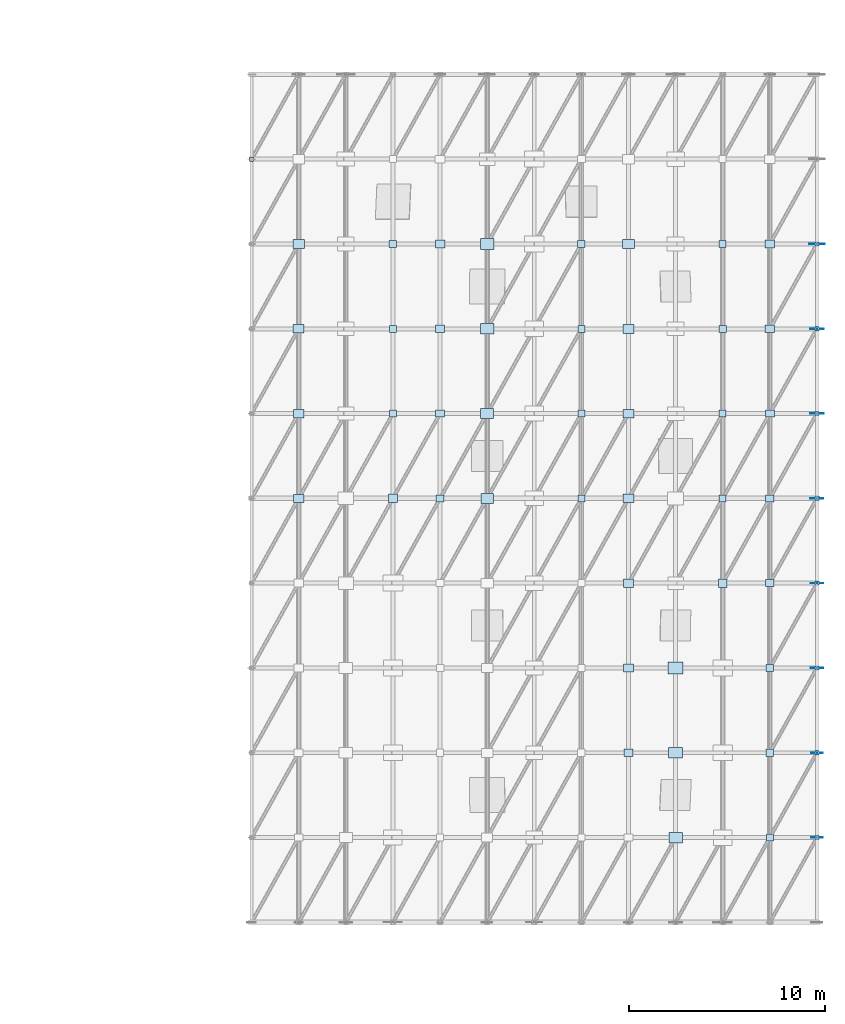
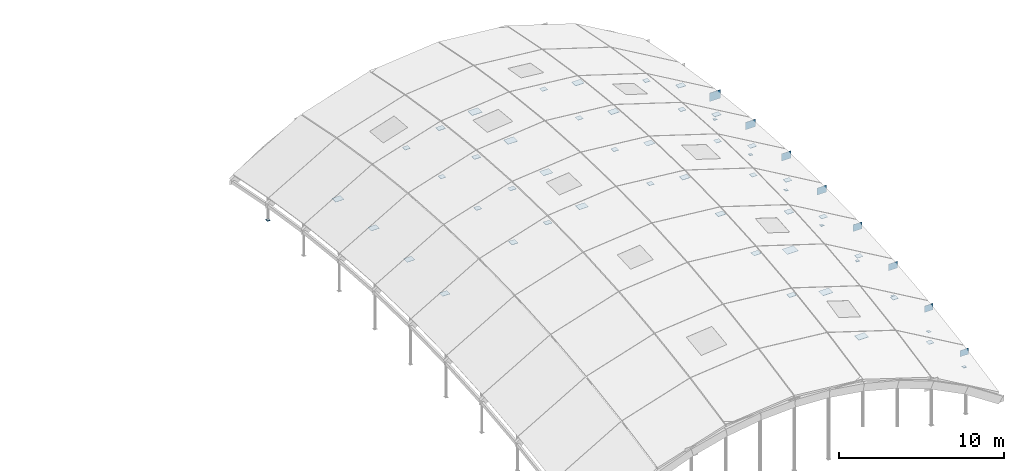
# One storey, part 30 of 35: 60 plates.
"""IFC4 building model written with IfcOpenShell, lengths in metres."""

from ifc_helpers import new_model, si_unit, direction, frame, origin, origin_2d, place, context, subcontext, project, spatial, rectangle, extrude, material, layer, layer_set, type_object, element, save


model = new_model("IFC4")

# Units and contexts
model_context = context("Model", 3, precision=1e-05, world=origin(), true_north=direction((0.0, 1.0)))
body_context = subcontext(model_context, "Body", "Model", "MODEL_VIEW")
ifc_project = project(units=[si_unit("LENGTHUNIT", "METRE"), si_unit("AREAUNIT", "SQUARE_METRE"), si_unit("VOLUMEUNIT", "CUBIC_METRE"), si_unit("PLANEANGLEUNIT", "RADIAN"), si_unit("MASSUNIT", "GRAM", prefix="KILO")], contexts=[model_context])

# Site, building, storey
site_placement = place(None, origin())
site = spatial("IfcSite", under=ifc_project, at=site_placement, CompositionType="ELEMENT")
building_placement = place(site_placement, origin())
building = spatial("IfcBuilding", under=site, at=building_placement, Name="Zarrinpeak Specialist Clinic", CompositionType="ELEMENT")
storey_placement = place(building_placement, frame((0.0, 0.0, 31.60009765625)))
storey = spatial("IfcBuildingStorey", under=building, at=storey_placement, Name="RF", CompositionType="ELEMENT", Elevation=31.60009765625)

# Plates
ifc_material = material(Name="Steel S355", Category="steel")
ifc_layer_1 = layer(ifc_material, 0.013916015625)
ifc_layer_set_1 = layer_set([ifc_layer_1], Name="Steel S355")
plate_type_1 = type_object("IfcPlateType", Name="PL-CAP168", PredefinedType="SHEET", material=ifc_layer_set_1)
for number, where, z_axis, x_axis, name in (
    (1, (122.39990234375, 33.1201171875, -17.81201171875), (0.0, 0.0, 1.0), (1.0, 0.0, 0.0), "V3 Gridshell Edge Post Cap Plate PCAP-024"),
    (2, (122.39990234375, 37.43994140625, -17.81201171875), (0.0, 0.0, 1.0), (1.0, 0.0, 0.0), "V3 Gridshell Edge Post Cap Plate PCAP-026"),
    (3, (122.39990234375, 41.760009765625, -17.81201171875), (0.0, 0.0, 1.0), (1.0, 0.0, 0.0), "V3 Gridshell Edge Post Cap Plate PCAP-028"),
    (4, (122.39990234375, 46.080078125, -17.81201171875), (0.0, 0.0, 1.0), (1.0, 0.0, 0.0), "V3 Gridshell Edge Post Cap Plate PCAP-030"),
    (5, (122.39990234375, 50.39990234375, -17.81201171875), (0.0, 0.0, 1.0), (1.0, 0.0, 0.0), "V3 Gridshell Edge Post Cap Plate PCAP-032"),
    (6, (122.39990234375, 54.719970703125, -17.81201171875), (0.0, 0.0, 1.0), (1.0, 0.0, 0.0), "V3 Gridshell Edge Post Cap Plate PCAP-034"),
    (7, (122.39990234375, 59.0400390625, -17.81201171875), (0.0, 0.0, 1.0), (1.0, 0.0, 0.0), "V3 Gridshell Edge Post Cap Plate PCAP-036"),
    (8, (122.39990234375, 63.360107421875, -17.81201171875), (0.0, 0.0, 1.0), (1.0, 0.0, 0.0), "V3 Gridshell Edge Post Cap Plate PCAP-038"),
    (9, (93.60009765625, 67.679931640625, -17.81201171875), (0.0, 0.0, 1.0), (1.0, 0.0, 0.0), "V3 Gridshell Edge Post Cap Plate PCAP-039"),
):
    element("IfcPlate", number, at=place(storey_placement, frame(where, z_axis=z_axis, x_axis=x_axis)), inside=storey, type_object=plate_type_1, Name=name, PredefinedType="SHEET", context=body_context, shape_type="SweptSolid", body=[
        extrude(rectangle(XDim=0.2099609375, YDim=0.2099609375, at=origin_2d()), origin(), (0.0, 0.0, 1.0), 0.013916015625),
    ])
ifc_layer_2 = layer(ifc_material, 0.02392578125)
ifc_layer_set_2 = layer_set([ifc_layer_2], Name="Steel S355")
plate_type_2 = type_object("IfcPlateType", Name="PL-GSN01", PredefinedType="SHEET", material=ifc_layer_set_2)
for number, where, z_axis, x_axis, name in (
    (10, (100.800048828125, 50.39990234375, -11.517578125), (0.0, 0.0, 1.0), (1.0, 0.0, 0.0), "V3 Gridshell Hub Node Plate GSN-I03-J05"),
    (11, (117.60009765625, 46.080078125, -12.51171875), (0.0, 0.0, 1.0), (1.0, 0.0, 0.0), "V3 Gridshell Hub Node Plate GSN-I10-J04"),
):
    element("IfcPlate", number, at=place(storey_placement, frame(where, z_axis=z_axis, x_axis=x_axis)), inside=storey, type_object=plate_type_2, Name=name, PredefinedType="SHEET", context=body_context, shape_type="SweptSolid", body=[
        extrude(rectangle(XDim=0.43994140625, YDim=0.43994140625, at=origin_2d()), origin(), (0.0, 0.0, 1.0), 0.02392578125),
    ])
ifc_layer_3 = layer(ifc_material, 0.02001953125)
ifc_layer_set_3 = layer_set([ifc_layer_3], Name="Steel S355")
plate_type_3 = type_object("IfcPlateType", Name="PL-GSN02", PredefinedType="SHEET", material=ifc_layer_set_3)
for number, where, z_axis, x_axis, name in (
    (12, (100.800048828125, 54.719970703125, -11.611572265625), (0.0, 0.0, 1.0), (1.0, 0.0, 0.0), "V3 Gridshell Hub Node Plate GSN-I03-J06"),
    (13, (117.60009765625, 50.39990234375, -12.413818359375), (0.0, 0.0, 1.0), (1.0, 0.0, 0.0), "V3 Gridshell Hub Node Plate GSN-I10-J05"),
):
    element("IfcPlate", number, at=place(storey_placement, frame(where, z_axis=z_axis, x_axis=x_axis)), inside=storey, type_object=plate_type_3, Name=name, PredefinedType="SHEET", context=body_context, shape_type="SweptSolid", body=[
        extrude(rectangle(XDim=0.360107421875, YDim=0.360107421875, at=origin_2d()), origin(), (0.0, 0.0, 1.0), 0.02001953125),
    ])
ifc_layer_4 = layer(ifc_material, 0.01806640625)
ifc_layer_set_4 = layer_set([ifc_layer_4], Name="Steel S355")
plate_type_4 = type_object("IfcPlateType", Name="PL-GSN03", PredefinedType="SHEET", material=ifc_layer_set_4)
for number, where, z_axis, x_axis, name in (
    (14, (100.800048828125, 59.0400390625, -11.898681640625), (0.0, 0.0, 1.0), (1.0, 0.0, 0.0), "V3 Gridshell Hub Node Plate GSN-I03-J07"),
    (15, (117.60009765625, 54.719970703125, -12.5087890625), (0.0, 0.0, 1.0), (1.0, 0.0, 0.0), "V3 Gridshell Hub Node Plate GSN-I10-J06"),
):
    element("IfcPlate", number, at=place(storey_placement, frame(where, z_axis=z_axis, x_axis=x_axis)), inside=storey, type_object=plate_type_4, Name=name, PredefinedType="SHEET", context=body_context, shape_type="SweptSolid", body=[
        extrude(rectangle(XDim=0.360107421875, YDim=0.360107421875, at=origin_2d()), origin(), (0.0, 0.0, 1.0), 0.01806640625),
    ])
ifc_layer_5 = layer(ifc_material, 0.02197265625)
ifc_layer_set_5 = layer_set([ifc_layer_5], Name="Steel S355")
plate_type_5 = type_object("IfcPlateType", Name="PL-GSN04", PredefinedType="SHEET", material=ifc_layer_set_5)
for number, where, z_axis, x_axis, name in (
    (16, (100.800048828125, 63.360107421875, -12.380615234375), (0.0, 0.0, 1.0), (1.0, 0.0, 0.0), "V3 Gridshell Hub Node Plate GSN-I03-J08"),
    (17, (117.60009765625, 59.0400390625, -12.798583984375), (0.0, 0.0, 1.0), (1.0, 0.0, 0.0), "V3 Gridshell Hub Node Plate GSN-I10-J07"),
):
    element("IfcPlate", number, at=place(storey_placement, frame(where, z_axis=z_axis, x_axis=x_axis)), inside=storey, type_object=plate_type_5, Name=name, PredefinedType="SHEET", context=body_context, shape_type="SweptSolid", body=[
        extrude(rectangle(XDim=0.3798828125, YDim=0.360107421875, at=origin_2d()), origin(), (0.0, 0.0, 1.0), 0.02197265625),
    ])
ifc_layer_6 = layer(ifc_material, 0.01611328125)
ifc_layer_set_6 = layer_set([ifc_layer_6], Name="Steel S355")
plate_type_6 = type_object("IfcPlateType", Name="PL-ND01", PredefinedType="SHEET", material=ifc_layer_set_6)
plate_1_placement = place(storey_placement, frame((117.60009765625, 63.360107421875, -13.275634765625), z_axis=(0.0, 0.0, 1.0), x_axis=(1.0, 0.0, 0.0)))
element("IfcPlate", 18, at=plate_1_placement, inside=storey, type_object=plate_type_6, Name="V3 Gridshell Hub Node Plate GSN-I10-J08", PredefinedType="SHEET", context=body_context, shape_type="SweptSolid", body=[
    extrude(rectangle(XDim=0.360107421875, YDim=0.360107421875, at=origin_2d()), origin(), (0.0, 0.0, 1.0), 0.01611328125),
])
ifc_layer_7 = layer(ifc_material, 0.02001953125)
ifc_layer_set_7 = layer_set([ifc_layer_7], Name="Steel S355")
plate_type_7 = type_object("IfcPlateType", Name="PL-ND03", PredefinedType="SHEET", material=ifc_layer_set_7)
plate_2_placement = place(storey_placement, frame((110.39990234375, 50.39990234375, -10.530517578125), z_axis=(0.0, 0.0, 1.0), x_axis=(1.0, 0.0, 0.0)))
element("IfcPlate", 19, at=plate_2_placement, inside=storey, type_object=plate_type_7, Name="V3 Gridshell Hub Node Plate GSN-I07-J05", PredefinedType="SHEET", context=body_context, shape_type="SweptSolid", body=[
    extrude(rectangle(XDim=0.360107421875, YDim=0.360107421875, at=origin_2d()), origin(), (0.0, 0.0, 1.0), 0.02001953125),
])
ifc_layer_8 = layer(ifc_material, 0.02197265625)
ifc_layer_set_8 = layer_set([ifc_layer_8], Name="Steel S355")
plate_type_8 = type_object("IfcPlateType", Name="PL-ND04", PredefinedType="SHEET", material=ifc_layer_set_8)
plate_3_placement = place(storey_placement, frame((110.39990234375, 54.719970703125, -10.62744140625), z_axis=(0.0, 0.0, 1.0), x_axis=(1.0, 0.0, 0.0)))
element("IfcPlate", 20, at=plate_3_placement, inside=storey, type_object=plate_type_8, Name="V3 Gridshell Hub Node Plate GSN-I07-J06", PredefinedType="SHEET", context=body_context, shape_type="SweptSolid", body=[
    extrude(rectangle(XDim=0.360107421875, YDim=0.360107421875, at=origin_2d()), origin(), (0.0, 0.0, 1.0), 0.02197265625),
])
ifc_layer_9 = layer(ifc_material, 0.02392578125)
ifc_layer_set_9 = layer_set([ifc_layer_9], Name="Steel S355")
plate_type_9 = type_object("IfcPlateType", Name="PL-ND05", PredefinedType="SHEET", material=ifc_layer_set_9)
for number, where, z_axis, x_axis, name in (
    (21, (110.39990234375, 59.0400390625, -10.916259765625), (0.0, 0.0, 1.0), (1.0, 0.0, 0.0), "V3 Gridshell Hub Node Plate GSN-I07-J07"),
    (22, (120.0, 33.1201171875, -15.16357421875), (0.0, 0.0, 1.0), (1.0, 0.0, 0.0), "V3 Gridshell Hub Node Plate GSN-I11-J01"),
):
    element("IfcPlate", number, at=place(storey_placement, frame(where, z_axis=z_axis, x_axis=x_axis)), inside=storey, type_object=plate_type_9, Name=name, PredefinedType="SHEET", context=body_context, shape_type="SweptSolid", body=[
        extrude(rectangle(XDim=0.360107421875, YDim=0.360107421875, at=origin_2d()), origin(), (0.0, 0.0, 1.0), 0.02392578125),
    ])
ifc_layer_10 = layer(ifc_material, 0.013916015625)
ifc_layer_set_10 = layer_set([ifc_layer_10], Name="Steel S355")
plate_type_10 = type_object("IfcPlateType", Name="PL-ND06", PredefinedType="SHEET", material=ifc_layer_set_10)
for number, where, z_axis, x_axis, name in (
    (23, (110.39990234375, 63.360107421875, -11.39111328125), (0.0, 0.0, 1.0), (1.0, 0.0, 0.0), "V3 Gridshell Hub Node Plate GSN-I07-J08"),
    (24, (120.0, 37.43994140625, -14.486328125), (0.0, 0.0, 1.0), (1.0, 0.0, 0.0), "V3 Gridshell Hub Node Plate GSN-I11-J02"),
):
    element("IfcPlate", number, at=place(storey_placement, frame(where, z_axis=z_axis, x_axis=x_axis)), inside=storey, type_object=plate_type_10, Name=name, PredefinedType="SHEET", context=body_context, shape_type="SweptSolid", body=[
        extrude(rectangle(XDim=0.3798828125, YDim=0.360107421875, at=origin_2d()), origin(), (0.0, 0.0, 1.0), 0.013916015625),
    ])
ifc_layer_11 = layer(ifc_material, 0.01611328125)
ifc_layer_set_11 = layer_set([ifc_layer_11], Name="Steel S355")
plate_type_11 = type_object("IfcPlateType", Name="PL-ND07", PredefinedType="SHEET", material=ifc_layer_set_11)
plate_4_placement = place(storey_placement, frame((120.0, 41.760009765625, -14.007568359375), z_axis=(0.0, 0.0, 1.0), x_axis=(1.0, 0.0, 0.0)))
element("IfcPlate", 25, at=plate_4_placement, inside=storey, type_object=plate_type_11, Name="V3 Gridshell Hub Node Plate GSN-I11-J03", PredefinedType="SHEET", context=body_context, shape_type="SweptSolid", body=[
    extrude(rectangle(XDim=0.39990234375, YDim=0.360107421875, at=origin_2d()), origin(), (0.0, 0.0, 1.0), 0.01611328125),
])
ifc_layer_12 = layer(ifc_material, 0.01806640625)
ifc_layer_set_12 = layer_set([ifc_layer_12], Name="Steel S355")
plate_type_12 = type_object("IfcPlateType", Name="PL-ND08", PredefinedType="SHEET", material=ifc_layer_set_12)
for number, where, z_axis, x_axis, name in (
    (26, (103.199951171875, 50.39990234375, -10.89404296875), (0.0, 0.0, 1.0), (1.0, 0.0, 0.0), "V3 Gridshell Hub Node Plate GSN-I04-J05"),
    (27, (120.0, 46.080078125, -13.720458984375), (0.0, 0.0, 1.0), (1.0, 0.0, 0.0), "V3 Gridshell Hub Node Plate GSN-I11-J04"),
):
    element("IfcPlate", number, at=place(storey_placement, frame(where, z_axis=z_axis, x_axis=x_axis)), inside=storey, type_object=plate_type_12, Name=name, PredefinedType="SHEET", context=body_context, shape_type="SweptSolid", body=[
        extrude(rectangle(XDim=0.419921875, YDim=0.360107421875, at=origin_2d()), origin(), (0.0, 0.0, 1.0), 0.01806640625),
    ])
ifc_layer_13 = layer(ifc_material, 0.02001953125)
ifc_layer_set_13 = layer_set([ifc_layer_13], Name="Steel S355")
plate_type_13 = type_object("IfcPlateType", Name="PL-ND09", PredefinedType="SHEET", material=ifc_layer_set_13)
for number, where, z_axis, x_axis, name in (
    (28, (103.199951171875, 54.719970703125, -10.990966796875), (0.0, 0.0, 1.0), (1.0, 0.0, 0.0), "V3 Gridshell Hub Node Plate GSN-I04-J06"),
    (29, (120.0, 50.39990234375, -13.62548828125), (0.0, 0.0, 1.0), (1.0, 0.0, 0.0), "V3 Gridshell Hub Node Plate GSN-I11-J05"),
):
    element("IfcPlate", number, at=place(storey_placement, frame(where, z_axis=z_axis, x_axis=x_axis)), inside=storey, type_object=plate_type_13, Name=name, PredefinedType="SHEET", context=body_context, shape_type="SweptSolid", body=[
        extrude(rectangle(XDim=0.43994140625, YDim=0.360107421875, at=origin_2d()), origin(), (0.0, 0.0, 1.0), 0.02001953125),
    ])
ifc_layer_14 = layer(ifc_material, 0.02197265625)
ifc_layer_set_14 = layer_set([ifc_layer_14], Name="Steel S355")
plate_type_14 = type_object("IfcPlateType", Name="PL-ND10", PredefinedType="SHEET", material=ifc_layer_set_14)
for number, where, z_axis, x_axis, name in (
    (30, (103.199951171875, 59.0400390625, -11.280029296875), (0.0, 0.0, 1.0), (1.0, 0.0, 0.0), "V3 Gridshell Hub Node Plate GSN-I04-J07"),
    (31, (120.0, 54.719970703125, -13.722412109375), (0.0, 0.0, 1.0), (1.0, 0.0, 0.0), "V3 Gridshell Hub Node Plate GSN-I11-J06"),
):
    element("IfcPlate", number, at=place(storey_placement, frame(where, z_axis=z_axis, x_axis=x_axis)), inside=storey, type_object=plate_type_14, Name=name, PredefinedType="SHEET", context=body_context, shape_type="SweptSolid", body=[
        extrude(rectangle(XDim=0.4599609375, YDim=0.3701171875, at=origin_2d()), origin(), (0.0, 0.0, 1.0), 0.02197265625),
    ])
ifc_layer_15 = layer(ifc_material, 0.02392578125)
ifc_layer_set_15 = layer_set([ifc_layer_15], Name="Steel S355")
plate_type_15 = type_object("IfcPlateType", Name="PL-ND11", PredefinedType="SHEET", material=ifc_layer_set_15)
for number, where, z_axis, x_axis, name in (
    (32, (103.199951171875, 63.360107421875, -11.760986328125), (0.0, 0.0, 1.0), (1.0, 0.0, 0.0), "V3 Gridshell Hub Node Plate GSN-I04-J08"),
    (33, (112.800048828125, 37.43994140625, -11.760986328125), (0.0, 0.0, 1.0), (1.0, 0.0, 0.0), "V3 Gridshell Hub Node Plate GSN-I08-J02"),
    (34, (120.0, 59.0400390625, -14.011474609375), (0.0, 0.0, 1.0), (1.0, 0.0, 0.0), "V3 Gridshell Hub Node Plate GSN-I11-J07"),
):
    element("IfcPlate", number, at=place(storey_placement, frame(where, z_axis=z_axis, x_axis=x_axis)), inside=storey, type_object=plate_type_15, Name=name, PredefinedType="SHEET", context=body_context, shape_type="SweptSolid", body=[
        extrude(rectangle(XDim=0.47998046875, YDim=0.389892578125, at=origin_2d()), origin(), (0.0, 0.0, 1.0), 0.02392578125),
    ])
ifc_layer_16 = layer(ifc_material, 0.013916015625)
ifc_layer_set_16 = layer_set([ifc_layer_16], Name="Steel S355")
plate_type_16 = type_object("IfcPlateType", Name="PL-ND12", PredefinedType="SHEET", material=ifc_layer_set_16)
for number, where, z_axis, x_axis, name in (
    (35, (112.800048828125, 41.760009765625, -11.27587890625), (0.0, 0.0, 1.0), (1.0, 0.0, 0.0), "V3 Gridshell Hub Node Plate GSN-I08-J03"),
    (36, (120.0, 63.360107421875, -14.486328125), (0.0, 0.0, 1.0), (1.0, 0.0, 0.0), "V3 Gridshell Hub Node Plate GSN-I11-J08"),
):
    element("IfcPlate", number, at=place(storey_placement, frame(where, z_axis=z_axis, x_axis=x_axis)), inside=storey, type_object=plate_type_16, Name=name, PredefinedType="SHEET", context=body_context, shape_type="SweptSolid", body=[
        extrude(rectangle(XDim=0.5, YDim=0.39990234375, at=origin_2d()), origin(), (0.0, 0.0, 1.0), 0.013916015625),
    ])
ifc_layer_17 = layer(ifc_material, 0.01611328125)
ifc_layer_set_17 = layer_set([ifc_layer_17], Name="Steel S355")
plate_type_17 = type_object("IfcPlateType", Name="PL-ND13", PredefinedType="SHEET", material=ifc_layer_set_17)
for number, where, z_axis, x_axis, name in (
    (37, (96.0, 50.39990234375, -13.62353515625), (0.0, 0.0, 1.0), (1.0, 0.0, 0.0), "V3 Gridshell Hub Node Plate GSN-I01-J05"),
    (38, (112.800048828125, 46.080078125, -10.989013671875), (0.0, 0.0, 1.0), (1.0, 0.0, 0.0), "V3 Gridshell Hub Node Plate GSN-I08-J04"),
):
    element("IfcPlate", number, at=place(storey_placement, frame(where, z_axis=z_axis, x_axis=x_axis)), inside=storey, type_object=plate_type_17, Name=name, PredefinedType="SHEET", context=body_context, shape_type="SweptSolid", body=[
        extrude(rectangle(XDim=0.52001953125, YDim=0.419921875, at=origin_2d()), origin(), (0.0, 0.0, 1.0), 0.01611328125),
    ])
ifc_layer_18 = layer(ifc_material, 0.01806640625)
ifc_layer_set_18 = layer_set([ifc_layer_18], Name="Steel S355")
plate_type_18 = type_object("IfcPlateType", Name="PL-ND14", PredefinedType="SHEET", material=ifc_layer_set_18)
for number, where, z_axis, x_axis, name in (
    (39, (96.0, 54.719970703125, -13.720458984375), (0.0, 0.0, 1.0), (1.0, 0.0, 0.0), "V3 Gridshell Hub Node Plate GSN-I01-J06"),
    (40, (112.800048828125, 50.39990234375, -10.89404296875), (0.0, 0.0, 1.0), (1.0, 0.0, 0.0), "V3 Gridshell Hub Node Plate GSN-I08-J05"),
):
    element("IfcPlate", number, at=place(storey_placement, frame(where, z_axis=z_axis, x_axis=x_axis)), inside=storey, type_object=plate_type_18, Name=name, PredefinedType="SHEET", context=body_context, shape_type="SweptSolid", body=[
        extrude(rectangle(XDim=0.5400390625, YDim=0.429931640625, at=origin_2d()), origin(), (0.0, 0.0, 1.0), 0.01806640625),
    ])
ifc_layer_19 = layer(ifc_material, 0.02001953125)
ifc_layer_set_19 = layer_set([ifc_layer_19], Name="Steel S355")
plate_type_19 = type_object("IfcPlateType", Name="PL-ND15", PredefinedType="SHEET", material=ifc_layer_set_19)
for number, where, z_axis, x_axis, name in (
    (41, (96.0, 59.0400390625, -14.009521484375), (0.0, 0.0, 1.0), (1.0, 0.0, 0.0), "V3 Gridshell Hub Node Plate GSN-I01-J07"),
    (42, (112.800048828125, 54.719970703125, -10.990966796875), (0.0, 0.0, 1.0), (1.0, 0.0, 0.0), "V3 Gridshell Hub Node Plate GSN-I08-J06"),
):
    element("IfcPlate", number, at=place(storey_placement, frame(where, z_axis=z_axis, x_axis=x_axis)), inside=storey, type_object=plate_type_19, Name=name, PredefinedType="SHEET", context=body_context, shape_type="SweptSolid", body=[
        extrude(rectangle(XDim=0.56005859375, YDim=0.43994140625, at=origin_2d()), origin(), (0.0, 0.0, 1.0), 0.02001953125),
    ])
ifc_layer_20 = layer(ifc_material, 0.02197265625)
ifc_layer_set_20 = layer_set([ifc_layer_20], Name="Steel S355")
plate_type_20 = type_object("IfcPlateType", Name="PL-ND16", PredefinedType="SHEET", material=ifc_layer_set_20)
for number, where, z_axis, x_axis, name in (
    (43, (96.0, 63.360107421875, -14.490478515625), (0.0, 0.0, 1.0), (1.0, 0.0, 0.0), "V3 Gridshell Hub Node Plate GSN-I01-J08"),
    (44, (112.800048828125, 59.0400390625, -11.280029296875), (0.0, 0.0, 1.0), (1.0, 0.0, 0.0), "V3 Gridshell Hub Node Plate GSN-I08-J07"),
):
    element("IfcPlate", number, at=place(storey_placement, frame(where, z_axis=z_axis, x_axis=x_axis)), inside=storey, type_object=plate_type_20, Name=name, PredefinedType="SHEET", context=body_context, shape_type="SweptSolid", body=[
        extrude(rectangle(XDim=0.580078125, YDim=0.4599609375, at=origin_2d()), origin(), (0.0, 0.0, 1.0), 0.02197265625),
    ])
plate_5_placement = place(storey_placement, frame((122.39990234375, 33.1201171875, -16.966064453125), z_axis=(0.0, 0.0, 1.0), x_axis=(1.0, 0.0, 0.0)))
element("IfcPlate", 45, at=plate_5_placement, inside=storey, type_object=plate_type_20, Name="V3 Gridshell Hub Node Plate GSN-I12-J01", PredefinedType="SHEET", context=body_context, shape_type="SweptSolid", body=[
    extrude(rectangle(XDim=0.580078125, YDim=0.02197265625, at=origin_2d()), origin(), (0.0, 0.0, 1.0), 0.4599609375),
])
ifc_layer_21 = layer(ifc_material, 0.02392578125)
ifc_layer_set_21 = layer_set([ifc_layer_21], Name="Steel S355")
plate_type_21 = type_object("IfcPlateType", Name="PL-ND17", PredefinedType="SHEET", material=ifc_layer_set_21)
plate_6_placement = place(storey_placement, frame((112.800048828125, 63.360107421875, -11.760986328125), z_axis=(0.0, 0.0, 1.0), x_axis=(1.0, 0.0, 0.0)))
element("IfcPlate", 46, at=plate_6_placement, inside=storey, type_object=plate_type_21, Name="V3 Gridshell Hub Node Plate GSN-I08-J08", PredefinedType="SHEET", context=body_context, shape_type="SweptSolid", body=[
    extrude(rectangle(XDim=0.60009765625, YDim=0.469970703125, at=origin_2d()), origin(), (0.0, 0.0, 1.0), 0.02392578125),
])
plate_7_placement = place(storey_placement, frame((122.39990234375, 37.43994140625, -16.29931640625), z_axis=(0.0, 0.0, 1.0), x_axis=(1.0, 0.0, 0.0)))
element("IfcPlate", 47, at=plate_7_placement, inside=storey, type_object=plate_type_21, Name="V3 Gridshell Hub Node Plate GSN-I12-J02", PredefinedType="SHEET", context=body_context, shape_type="SweptSolid", body=[
    extrude(rectangle(XDim=0.60009765625, YDim=0.02392578125, at=origin_2d()), origin(), (0.0, 0.0, 1.0), 0.469970703125),
])
ifc_layer_22 = layer(ifc_material, 0.013916015625)
ifc_layer_set_22 = layer_set([ifc_layer_22], Name="Steel S355")
plate_type_22 = type_object("IfcPlateType", Name="PL-ND18", PredefinedType="SHEET", material=ifc_layer_set_22)
plate_8_placement = place(storey_placement, frame((122.39990234375, 41.760009765625, -15.8291015625), z_axis=(0.0, 0.0, 1.0), x_axis=(1.0, 0.0, 0.0)))
element("IfcPlate", 48, at=plate_8_placement, inside=storey, type_object=plate_type_22, Name="V3 Gridshell Hub Node Plate GSN-I12-J03", PredefinedType="SHEET", context=body_context, shape_type="SweptSolid", body=[
    extrude(rectangle(XDim=0.6201171875, YDim=0.013916015625, at=origin_2d()), origin(), (0.0, 0.0, 1.0), 0.489990234375),
])
ifc_layer_23 = layer(ifc_material, 0.01611328125)
ifc_layer_set_23 = layer_set([ifc_layer_23], Name="Steel S355")
plate_type_23 = type_object("IfcPlateType", Name="PL-ND19", PredefinedType="SHEET", material=ifc_layer_set_23)
plate_9_placement = place(storey_placement, frame((105.60009765625, 50.39990234375, -10.528564453125), z_axis=(0.0, 0.0, 1.0), x_axis=(1.0, 0.0, 0.0)))
element("IfcPlate", 49, at=plate_9_placement, inside=storey, type_object=plate_type_23, Name="V3 Gridshell Hub Node Plate GSN-I05-J05", PredefinedType="SHEET", context=body_context, shape_type="SweptSolid", body=[
    extrude(rectangle(XDim=0.639892578125, YDim=0.510009765625, at=origin_2d()), origin(), (0.0, 0.0, 1.0), 0.01611328125),
])
plate_10_placement = place(storey_placement, frame((122.39990234375, 46.080078125, -15.55126953125), z_axis=(0.0, 0.0, 1.0), x_axis=(1.0, 0.0, 0.0)))
element("IfcPlate", 50, at=plate_10_placement, inside=storey, type_object=plate_type_23, Name="V3 Gridshell Hub Node Plate GSN-I12-J04", PredefinedType="SHEET", context=body_context, shape_type="SweptSolid", body=[
    extrude(rectangle(XDim=0.639892578125, YDim=0.01611328125, at=origin_2d()), origin(), (0.0, 0.0, 1.0), 0.510009765625),
])
ifc_layer_24 = layer(ifc_material, 0.01806640625)
ifc_layer_set_24 = layer_set([ifc_layer_24], Name="Steel S355")
plate_type_24 = type_object("IfcPlateType", Name="PL-ND20", PredefinedType="SHEET", material=ifc_layer_set_24)
plate_11_placement = place(storey_placement, frame((105.60009765625, 54.719970703125, -10.62548828125), z_axis=(0.0, 0.0, 1.0), x_axis=(1.0, 0.0, 0.0)))
element("IfcPlate", 51, at=plate_11_placement, inside=storey, type_object=plate_type_24, Name="V3 Gridshell Hub Node Plate GSN-I05-J06", PredefinedType="SHEET", context=body_context, shape_type="SweptSolid", body=[
    extrude(rectangle(XDim=0.659912109375, YDim=0.52001953125, at=origin_2d()), origin(), (0.0, 0.0, 1.0), 0.01806640625),
])
plate_12_placement = place(storey_placement, frame((122.39990234375, 50.39990234375, -15.460205078125), z_axis=(0.0, 0.0, 1.0), x_axis=(1.0, 0.0, 0.0)))
element("IfcPlate", 52, at=plate_12_placement, inside=storey, type_object=plate_type_24, Name="V3 Gridshell Hub Node Plate GSN-I12-J05", PredefinedType="SHEET", context=body_context, shape_type="SweptSolid", body=[
    extrude(rectangle(XDim=0.659912109375, YDim=0.01806640625, at=origin_2d()), origin(), (0.0, 0.0, 1.0), 0.52001953125),
])
ifc_layer_25 = layer(ifc_material, 0.02001953125)
ifc_layer_set_25 = layer_set([ifc_layer_25], Name="Steel S355")
plate_type_25 = type_object("IfcPlateType", Name="PL-ND21", PredefinedType="SHEET", material=ifc_layer_set_25)
for number, where, z_axis, x_axis, name in (
    (53, (105.60009765625, 59.0400390625, -10.914306640625), (0.0, 0.0, 1.0), (1.0, 0.0, 0.0), "V3 Gridshell Hub Node Plate GSN-I05-J07"),
    (54, (115.199951171875, 33.1201171875, -13.051513671875), (0.0, 0.0, 1.0), (1.0, 0.0, 0.0), "V3 Gridshell Hub Node Plate GSN-I09-J01"),
):
    element("IfcPlate", number, at=place(storey_placement, frame(where, z_axis=z_axis, x_axis=x_axis)), inside=storey, type_object=plate_type_25, Name=name, PredefinedType="SHEET", context=body_context, shape_type="SweptSolid", body=[
        extrude(rectangle(XDim=0.679931640625, YDim=0.5400390625, at=origin_2d()), origin(), (0.0, 0.0, 1.0), 0.02001953125),
    ])
plate_13_placement = place(storey_placement, frame((122.39990234375, 54.719970703125, -15.566162109375), z_axis=(0.0, 0.0, 1.0), x_axis=(1.0, 0.0, 0.0)))
element("IfcPlate", 55, at=plate_13_placement, inside=storey, type_object=plate_type_25, Name="V3 Gridshell Hub Node Plate GSN-I12-J06", PredefinedType="SHEET", context=body_context, shape_type="SweptSolid", body=[
    extrude(rectangle(XDim=0.679931640625, YDim=0.02001953125, at=origin_2d()), origin(), (0.0, 0.0, 1.0), 0.5400390625),
])
ifc_layer_26 = layer(ifc_material, 0.02197265625)
ifc_layer_set_26 = layer_set([ifc_layer_26], Name="Steel S355")
plate_type_26 = type_object("IfcPlateType", Name="PL-ND22", PredefinedType="SHEET", material=ifc_layer_set_26)
for number, where, z_axis, x_axis, name in (
    (56, (105.60009765625, 63.360107421875, -11.395263671875), (0.0, 0.0, 1.0), (1.0, 0.0, 0.0), "V3 Gridshell Hub Node Plate GSN-I05-J08"),
    (57, (115.199951171875, 37.43994140625, -12.380615234375), (0.0, 0.0, 1.0), (1.0, 0.0, 0.0), "V3 Gridshell Hub Node Plate GSN-I09-J02"),
):
    element("IfcPlate", number, at=place(storey_placement, frame(where, z_axis=z_axis, x_axis=x_axis)), inside=storey, type_object=plate_type_26, Name=name, PredefinedType="SHEET", context=body_context, shape_type="SweptSolid", body=[
        extrude(rectangle(XDim=0.699951171875, YDim=0.550048828125, at=origin_2d()), origin(), (0.0, 0.0, 1.0), 0.02197265625),
    ])
plate_14_placement = place(storey_placement, frame((122.39990234375, 59.0400390625, -15.85888671875), z_axis=(0.0, 0.0, 1.0), x_axis=(1.0, 0.0, 0.0)))
element("IfcPlate", 58, at=plate_14_placement, inside=storey, type_object=plate_type_26, Name="V3 Gridshell Hub Node Plate GSN-I12-J07", PredefinedType="SHEET", context=body_context, shape_type="SweptSolid", body=[
    extrude(rectangle(XDim=0.699951171875, YDim=0.02197265625, at=origin_2d()), origin(), (0.0, 0.0, 1.0), 0.550048828125),
])
ifc_layer_27 = layer(ifc_material, 0.02099609375)
ifc_layer_set_27 = layer_set([ifc_layer_27], Name="Steel S355")
plate_type_27 = type_object("IfcPlateType", Name="PL-ND23", PredefinedType="SHEET", material=ifc_layer_set_27)
plate_15_placement = place(storey_placement, frame((115.199951171875, 41.760009765625, -11.900146484375), z_axis=(0.0, 0.0, 1.0), x_axis=(1.0, 0.0, 0.0)))
element("IfcPlate", 59, at=plate_15_placement, inside=storey, type_object=plate_type_27, Name="V3 Gridshell Hub Node Plate GSN-I09-J03", PredefinedType="SHEET", context=body_context, shape_type="SweptSolid", body=[
    extrude(rectangle(XDim=0.77294921875, YDim=0.631103515625, at=origin_2d()), origin(), (0.0, 0.0, 1.0), 0.02099609375),
])
plate_16_placement = place(storey_placement, frame((122.39990234375, 63.360107421875, -16.3798828125), z_axis=(0.0, 0.0, 1.0), x_axis=(1.0, 0.0, 0.0)))
element("IfcPlate", 60, at=plate_16_placement, inside=storey, type_object=plate_type_27, Name="V3 Gridshell Hub Node Plate GSN-I12-J08", PredefinedType="SHEET", context=body_context, shape_type="SweptSolid", body=[
    extrude(rectangle(XDim=0.77294921875, YDim=0.02099609375, at=origin_2d()), origin(), (0.0, 0.0, 1.0), 0.631103515625),
])

save(model, "model.ifc")
